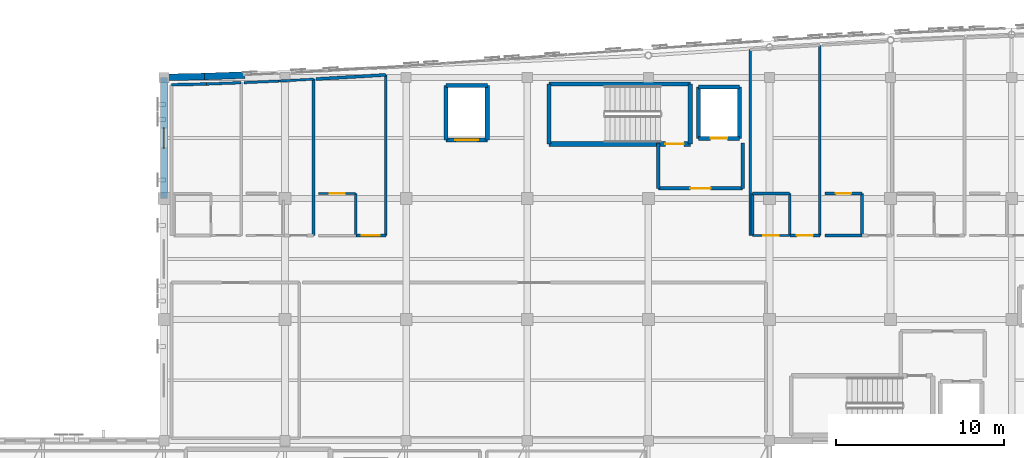
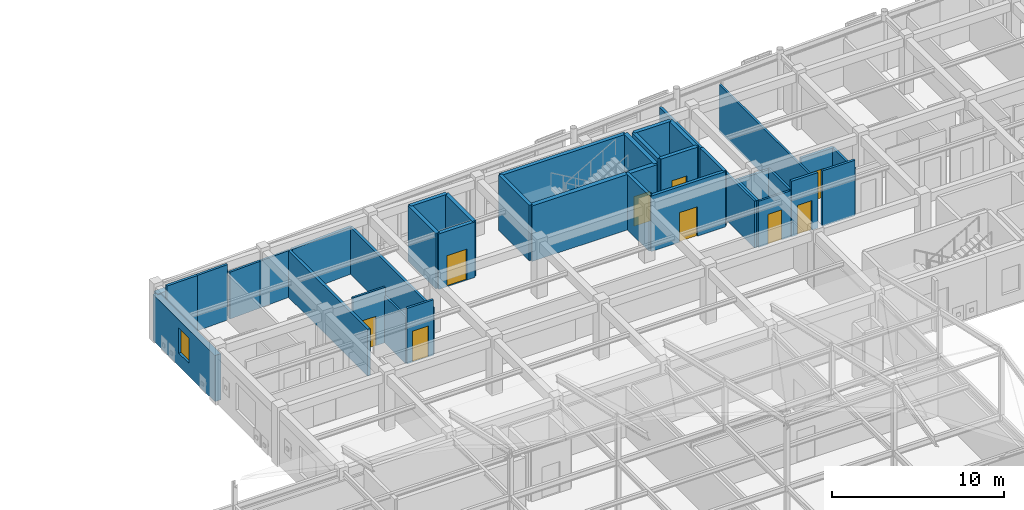
# One storey, part 91 of 113: 38 walls, 9 doors, 1 window, 10 openings.
"""IFC4 building model written with IfcOpenShell, lengths in metres."""

from ifc_helpers import new_model, si_unit, direction, frame, frame_2d, origin, place, context, subcontext, project, spatial, rectangle, extrude, material, layer, layer_set, type_object, element, fill, save


model = new_model("IFC4")

# Units and contexts
model_context = context("Model", 3, precision=1e-05, world=origin(), true_north=direction((0.0, 1.0)))
body_context = subcontext(model_context, "Body", "Model", "MODEL_VIEW")
ifc_project = project(units=[si_unit("LENGTHUNIT", "METRE"), si_unit("AREAUNIT", "SQUARE_METRE"), si_unit("VOLUMEUNIT", "CUBIC_METRE"), si_unit("PLANEANGLEUNIT", "RADIAN"), si_unit("MASSUNIT", "GRAM", prefix="KILO")], contexts=[model_context])

# Site, building, storey
site_placement = place(None, origin())
site = spatial("IfcSite", under=ifc_project, at=site_placement, CompositionType="ELEMENT")
building_placement = place(site_placement, origin())
building = spatial("IfcBuilding", under=site, at=building_placement, Name="Carrowvane Square Congress Hotel", CompositionType="ELEMENT")
storey_placement = place(building_placement, frame((0.0, 0.0, 15.0)))
storey = spatial("IfcBuildingStorey", under=building, at=storey_placement, Name="L03", CompositionType="ELEMENT", Elevation=15.0)

# Wall, opening, window
ifc_material_1 = material(Name="Glazed terracotta rainscreen", Category="masonry")
ifc_layer_1 = layer(ifc_material_1, 0.39990234375)
ifc_layer_set_1 = layer_set([ifc_layer_1], Name="Glazed terracotta rainscreen")
wall_type_1 = type_object("IfcWallType", Name="WL-EXT-TC400", PredefinedType="STANDARD", material=ifc_layer_set_1)
wall_1_placement = place(storey_placement, frame((33.199951171875, 106.199951171875, 0.0), z_axis=(0.0, 0.0, 1.0), x_axis=(0.0, 1.0, 0.0)))
wall_1 = element("IfcWall", 1, at=wall_1_placement, inside=storey, type_object=wall_type_1, Name="L03 exterior facade wall 353", PredefinedType="STANDARD", context=body_context, shape_type="SweptSolid", body=[
    extrude(rectangle(XDim=7.199951171875, YDim=0.39990234375, at=frame_2d((3.60009765625, 0.0))), origin(), (0.0, 0.0, 1.0), 3.27490234375),
])
opening_1_placement = place(wall_1_placement, frame((3.0, 0.0, 0.89990234375)))
opening_1 = element("IfcOpeningElement", 2, at=opening_1_placement, cuts=wall_1, Name="Opening W-01", PredefinedType="OPENING", context=body_context, shape_type="SweptSolid", body=[
    extrude(rectangle(XDim=1.199951171875, YDim=1.800048828125, at=frame_2d((0.60009765625, 0.89990234375))), frame((0.0, 0.2099609375, 0.0), z_axis=(0.0, -1.0, 0.0), x_axis=(1.0, 0.0, 0.0)), (0.0, 0.0, 1.0), 0.419921875),
])
ifc_material_2 = material(Name="Double-glazed low-E glass", Category="glass")
window_type = type_object("IfcWindowType", Name="WIN-01", PartitioningType="SINGLE_PANEL", PredefinedType="WINDOW", material=ifc_material_2)
window_placement = place(opening_1_placement, origin())
window = element("IfcWindow", 3, at=window_placement, inside=storey, type_object=window_type, Name="L03 facade window 176", OverallHeight=1.800048828125, OverallWidth=1.199951171875, PartitioningType="SINGLE_PANEL", PredefinedType="WINDOW", context=body_context, shape_type="SweptSolid", body=[
    extrude(rectangle(XDim=1.199951171875, YDim=1.800048828125, at=frame_2d((0.60009765625, 0.89990234375))), frame((0.0, 0.030029296875, 0.0), z_axis=(0.0, -1.0, 0.0), x_axis=(1.0, 0.0, 0.0)), (0.0, 0.0, 1.0), 0.06005859375),
])
fill(opening_1, window)

# Walls
wall_2_placement = place(storey_placement, frame((33.199951171875, 113.39990234375, 0.0), z_axis=(0.0, 0.0, 1.0), x_axis=(0.999767568547, 0.021559426766, 0.0)))
element("IfcWall", 4, at=wall_2_placement, inside=storey, type_object=wall_type_1, Name="L03 exterior facade wall 354", PredefinedType="STANDARD", context=body_context, shape_type="SweptSolid", body=[
    extrude(rectangle(XDim=2.400634765625, YDim=0.39990234375, at=frame_2d((1.2001953125, 0.0))), origin(), (0.0, 0.0, 1.0), 3.324951171875),
])
wall_3_placement = place(storey_placement, frame((35.60009765625, 113.45166015625, 0.0), z_axis=(0.0, 0.0, 1.0), x_axis=(0.99930757318, 0.037207179225, 0.0)))
element("IfcWall", 5, at=wall_3_placement, inside=storey, type_object=wall_type_1, Name="L03 exterior facade wall 355", PredefinedType="STANDARD", context=body_context, shape_type="SweptSolid", body=[
    extrude(rectangle(XDim=2.401611328125, YDim=0.39990234375, at=frame_2d((1.20068359375, 0.0))), origin(), (0.0, 0.0, 1.0), 3.324951171875),
])
ifc_material_3 = material(Name="Acoustic gypsum board", Category="gypsum")
ifc_layer_2 = layer(ifc_material_3, 0.155029296875)
ifc_layer_set_2 = layer_set([ifc_layer_2], Name="Acoustic gypsum board")
wall_type_2 = type_object("IfcWallType", Name="WL-FIR-155", PredefinedType="PARTITIONING", material=ifc_layer_set_2)
wall_4_placement = place(storey_placement, frame((35.719970703125, 113.006103515625, 0.0), z_axis=(0.0, 0.0, 1.0), x_axis=(0.999306250348, 0.037242690778, 0.0)))
element("IfcWall", 6, at=wall_4_placement, inside=storey, type_object=wall_type_2, Name="L03 Parkview Guest Bedroom 0302 partition", PredefinedType="PARTITIONING", context=body_context, shape_type="SweptSolid", body=[
    extrude(rectangle(XDim=2.071533203125, YDim=0.155029296875, at=frame_2d((1.03564453125, 0.0))), origin(), (0.0, 0.0, 1.0), 3.93994140625),
])

# Wall, opening, door
wall_5_placement = place(storey_placement, frame((46.389892578125, 104.0, 0.0), z_axis=(0.0, 0.0, 1.0), x_axis=(-1.0, 0.0, 0.0)))
wall_5 = element("IfcWall", 7, at=wall_5_placement, inside=storey, type_object=wall_type_2, Name="L03 Parkview Guest Bedroom 0304 partition", PredefinedType="PARTITIONING", context=body_context, shape_type="SweptSolid", body=[
    extrude(rectangle(XDim=1.77978515625, YDim=0.155029296875, at=frame_2d((0.889892578125, 0.0))), origin(), (0.0, 0.0, 1.0), 3.93994140625),
])
opening_2_placement = place(wall_5_placement, frame((0.360107421875, 0.0, 0.0)))
opening_2 = element("IfcOpeningElement", 8, at=opening_2_placement, cuts=wall_5, Name="Opening FD-09", PredefinedType="OPENING", context=body_context, shape_type="SweptSolid", body=[
    extrude(rectangle(XDim=1.06005859375, YDim=2.199951171875, at=frame_2d((0.530029296875, 1.10009765625))), frame((0.0, 0.08740234375, 0.0), z_axis=(0.0, -1.0, 0.0), x_axis=(1.0, 0.0, 0.0)), (0.0, 0.0, 1.0), 0.175048828125),
])
ifc_material_4 = material(Name="European oak timber", Category="wood")
door_type_1 = type_object("IfcDoorType", Name="DR-FD30-1060x2200", OperationType="NOTDEFINED", PredefinedType="DOOR", material=ifc_material_4)
door_1_placement = place(opening_2_placement, origin())
door_1 = element("IfcDoor", 9, at=door_1_placement, inside=storey, type_object=door_type_1, Name="L03 Parkview Guest Bedroom 0304 entrance door", OperationType="SINGLE_SWING_RIGHT", OverallHeight=2.199951171875, OverallWidth=1.06005859375, PredefinedType="DOOR", context=body_context, shape_type="SweptSolid", body=[
    extrude(rectangle(XDim=1.06005859375, YDim=2.199951171875, at=frame_2d((0.530029296875, 1.10009765625))), frame((0.0, 0.02490234375, 0.0), z_axis=(0.0, -1.0, 0.0), x_axis=(1.0, 0.0, 0.0)), (0.0, 0.0, 1.0), 0.050048828125),
])
fill(opening_2, door_1)

# Walls
wall_6_placement = place(storey_placement, frame((68.199951171875, 106.5, 0.0), z_axis=(0.0, 0.0, 1.0), x_axis=(1.0, 0.0, 0.0)))
element("IfcWall", 10, at=wall_6_placement, inside=storey, type_object=wall_type_2, Name="L03 En-suite Bathroom 0305 partition", PredefinedType="PARTITIONING", context=body_context, shape_type="SweptSolid", body=[
    extrude(rectangle(XDim=2.199951171875, YDim=0.155029296875, at=frame_2d((1.10009765625, 0.0))), origin(), (0.0, 0.0, 1.0), 3.27490234375),
])
wall_7_placement = place(storey_placement, frame((68.050048828125, 104.0, 0.0), z_axis=(0.0, 0.0, 1.0), x_axis=(0.0, 1.0, 0.0)))
element("IfcWall", 11, at=wall_7_placement, inside=storey, type_object=wall_type_2, Name="L03 Parkview Guest Bedroom 0305 partition", PredefinedType="PARTITIONING", context=body_context, shape_type="SweptSolid", body=[
    extrude(rectangle(XDim=11.048828125, YDim=0.155029296875, at=frame_2d((5.5244140625, 0.0))), origin(), (0.0, 0.0, 1.0), 3.324951171875),
])
wall_8_placement = place(storey_placement, frame((74.699951171875, 104.0, 0.0), z_axis=(0.0, 0.0, 1.0), x_axis=(-1.0, 0.0, 0.0)))
element("IfcWall", 12, at=wall_8_placement, inside=storey, type_object=wall_type_2, Name="L03 En-suite Bathroom 0306 partition", PredefinedType="PARTITIONING", context=body_context, shape_type="SweptSolid", body=[
    extrude(rectangle(XDim=2.199951171875, YDim=0.155029296875, at=frame_2d((1.10009765625, 0.0))), origin(), (0.0, 0.0, 1.0), 3.93994140625),
])
ifc_material_5 = material(Name="Acoustic gypsum board", Category="gypsum")
ifc_layer_3 = layer(ifc_material_5, 0.169921875)
ifc_layer_set_3 = layer_set([ifc_layer_3], Name="Acoustic gypsum board")
wall_type_3 = type_object("IfcWallType", Name="WL-FIR-170", PredefinedType="PARTITIONING", material=ifc_layer_set_3)
wall_9_placement = place(storey_placement, frame((33.64990234375, 112.959716796875, 0.0), z_axis=(0.0, 0.0, 1.0), x_axis=(0.999749028493, 0.02240267902, 0.0)))
element("IfcWall", 13, at=wall_9_placement, inside=storey, type_object=wall_type_3, Name="L03 Parkview Guest Bedroom 0302 partition", PredefinedType="PARTITIONING", context=body_context, shape_type="SweptSolid", body=[
    extrude(rectangle(XDim=2.070556640625, YDim=0.169921875, at=frame_2d((1.03515625, 0.0))), origin(), (0.0, 0.0, 1.0), 3.93994140625),
])
wall_10_placement = place(storey_placement, frame((46.389892578125, 113.548583984375, 0.0), z_axis=(0.0, 0.0, 1.0), x_axis=(0.0, -1.0, 0.0)))
element("IfcWall", 14, at=wall_10_placement, inside=storey, type_object=wall_type_3, Name="L03 Parkview Guest Bedroom 0304 partition", PredefinedType="PARTITIONING", context=body_context, shape_type="SweptSolid", body=[
    extrude(rectangle(XDim=9.548583984375, YDim=0.169921875, at=frame_2d((4.7744140625, 0.0))), origin(), (0.0, 0.0, 1.0), 3.324951171875),
])
for number, where, z_axis, x_axis, name in (
    (15, (68.199951171875, 104.0, 0.0), (0.0, 0.0, 1.0), (0.0, 1.0, 0.0), "L03 En-suite Bathroom 0305 partition"),
    (16, (74.699951171875, 106.5, 0.0), (0.0, 0.0, 1.0), (0.0, -1.0, 0.0), "L03 En-suite Bathroom 0306 partition"),
):
    element("IfcWall", number, at=place(storey_placement, frame(where, z_axis=z_axis, x_axis=x_axis)), inside=storey, type_object=wall_type_3, Name=name, PredefinedType="PARTITIONING", context=body_context, shape_type="SweptSolid", body=[
        extrude(rectangle(XDim=2.5, YDim=0.169921875, at=frame_2d((1.25, 0.0))), origin(), (0.0, 0.0, 1.0), 3.324951171875),
    ])
ifc_material_6 = material(Name="Acoustic gypsum board", Category="gypsum")
ifc_layer_4 = layer(ifc_material_6, 0.18505859375)
ifc_layer_set_4 = layer_set([ifc_layer_4], Name="Acoustic gypsum board")
wall_type_4 = type_object("IfcWallType", Name="WL-FIR-185", PredefinedType="PARTITIONING", material=ifc_layer_set_4)
wall_11_placement = place(storey_placement, frame((42.090087890625, 113.293212890625, 0.0), z_axis=(0.0, 0.0, 1.0), x_axis=(0.0, -1.0, 0.0)))
element("IfcWall", 17, at=wall_11_placement, inside=storey, type_object=wall_type_4, Name="L03 Parkview Guest Bedroom 0303 partition", PredefinedType="PARTITIONING", context=body_context, shape_type="SweptSolid", body=[
    extrude(rectangle(XDim=9.293212890625, YDim=0.18505859375, at=frame_2d((4.646484375, 0.0))), origin(), (0.0, 0.0, 1.0), 3.324951171875),
])
wall_12_placement = place(storey_placement, frame((42.25, 113.302001953125, 0.0), z_axis=(0.0, 0.0, 1.0), x_axis=(0.998230864765, 0.059457048618, 0.0)))
element("IfcWall", 18, at=wall_12_placement, inside=storey, type_object=wall_type_4, Name="L03 Parkview Guest Bedroom 0304 partition", PredefinedType="PARTITIONING", context=body_context, shape_type="SweptSolid", body=[
    extrude(rectangle(XDim=4.147216796875, YDim=0.18505859375, at=frame_2d((2.07373046875, 0.0))), origin(), (0.0, 0.0, 1.0), 3.324951171875),
])

# Wall, opening, door
wall_13_placement = place(storey_placement, frame((72.18994140625, 104.0, 0.0), z_axis=(0.0, 0.0, 1.0), x_axis=(-1.0, 0.0, 0.0)))
wall_13 = element("IfcWall", 19, at=wall_13_placement, inside=storey, type_object=wall_type_4, Name="L03 Parkview Guest Bedroom 0305 partition", PredefinedType="PARTITIONING", context=body_context, shape_type="SweptSolid", body=[
    extrude(rectangle(XDim=1.780029296875, YDim=0.18505859375, at=frame_2d((0.89013671875, 0.0))), origin(), (0.0, 0.0, 1.0), 3.93994140625),
])
opening_3_placement = place(wall_13_placement, frame((0.4150390625, 0.0, 0.0)))
opening_3 = element("IfcOpeningElement", 20, at=opening_3_placement, cuts=wall_13, Name="Opening FD-06", PredefinedType="OPENING", context=body_context, shape_type="SweptSolid", body=[
    extrude(rectangle(XDim=0.949951171875, YDim=2.10009765625, at=frame_2d((0.47509765625, 1.050048828125))), frame((0.0, 0.1025390625, 0.0), z_axis=(0.0, -1.0, 0.0), x_axis=(1.0, 0.0, 0.0)), (0.0, 0.0, 1.0), 0.205078125),
])
ifc_material_7 = material(Name="European oak timber", Category="wood")
door_type_2 = type_object("IfcDoorType", Name="DR-FD30-0950x2100", OperationType="NOTDEFINED", PredefinedType="DOOR", material=ifc_material_7)
door_2_placement = place(opening_3_placement, origin())
door_2 = element("IfcDoor", 21, at=door_2_placement, inside=storey, type_object=door_type_2, Name="L03 Parkview Guest Bedroom 0305 entrance door", OperationType="SINGLE_SWING_RIGHT", OverallHeight=2.10009765625, OverallWidth=0.949951171875, PredefinedType="DOOR", context=body_context, shape_type="SweptSolid", body=[
    extrude(rectangle(XDim=0.949951171875, YDim=2.10009765625, at=frame_2d((0.47509765625, 1.050048828125))), frame((0.0, 0.02490234375, 0.0), z_axis=(0.0, -1.0, 0.0), x_axis=(1.0, 0.0, 0.0)), (0.0, 0.0, 1.0), 0.050048828125),
])
fill(opening_3, door_2)

wall_14_placement = place(storey_placement, frame((72.5, 106.5, 0.0), z_axis=(0.0, 0.0, 1.0), x_axis=(1.0, 0.0, 0.0)))
wall_14 = element("IfcWall", 22, at=wall_14_placement, inside=storey, type_object=wall_type_4, Name="L03 En-suite Bathroom 0306 partition", PredefinedType="PARTITIONING", context=body_context, shape_type="SweptSolid", body=[
    extrude(rectangle(XDim=2.199951171875, YDim=0.18505859375, at=frame_2d((1.10009765625, 0.0))), origin(), (0.0, 0.0, 1.0), 3.324951171875),
])
opening_4_placement = place(wall_14_placement, frame((0.64990234375, 0.0, 0.0)))
opening_4 = element("IfcOpeningElement", 23, at=opening_4_placement, cuts=wall_14, Name="Opening ID-02", PredefinedType="OPENING", context=body_context, shape_type="SweptSolid", body=[
    extrude(rectangle(XDim=0.89990234375, YDim=2.080078125, at=frame_2d((0.449951171875, 1.0400390625))), frame((0.0, 0.1025390625, 0.0), z_axis=(0.0, -1.0, 0.0), x_axis=(1.0, 0.0, 0.0)), (0.0, 0.0, 1.0), 0.205078125),
])
ifc_material_8 = material(Name="European oak timber", Category="wood")
door_type_3 = type_object("IfcDoorType", Name="DR-INT-0900x2080", OperationType="NOTDEFINED", PredefinedType="DOOR", material=ifc_material_8)
door_3_placement = place(opening_4_placement, origin())
door_3 = element("IfcDoor", 24, at=door_3_placement, inside=storey, type_object=door_type_3, Name="L03 En-suite Bathroom 0306 door", OperationType="SINGLE_SWING_LEFT", OverallHeight=2.080078125, OverallWidth=0.89990234375, PredefinedType="DOOR", context=body_context, shape_type="SweptSolid", body=[
    extrude(rectangle(XDim=0.89990234375, YDim=2.080078125, at=frame_2d((0.449951171875, 1.0400390625))), frame((0.0, 0.02490234375, 0.0), z_axis=(0.0, -1.0, 0.0), x_axis=(1.0, 0.0, 0.0)), (0.0, 0.0, 1.0), 0.050048828125),
])
fill(opening_4, door_3)

ifc_material_9 = material(Name="Acoustic gypsum board", Category="gypsum")
ifc_layer_5 = layer(ifc_material_9, 0.205078125)
ifc_layer_set_5 = layer_set([ifc_layer_5], Name="Acoustic gypsum board")
wall_type_5 = type_object("IfcWallType", Name="WL-FIR-205", PredefinedType="PARTITIONING", material=ifc_layer_set_5)
wall_15_placement = place(storey_placement, frame((62.60009765625, 106.800048828125, 0.0), z_axis=(0.0, 0.0, 1.0), x_axis=(1.0, 0.0, 0.0)))
wall_15 = element("IfcWall", 25, at=wall_15_placement, inside=storey, type_object=wall_type_5, Name="L03 Firefighting Lobby C1 wall south", PredefinedType="PARTITIONING", context=body_context, shape_type="SweptSolid", body=[
    extrude(rectangle(XDim=5.0, YDim=0.205078125, at=frame_2d((2.5, 0.0))), origin(), (0.0, 0.0, 1.0), 3.93994140625),
])
opening_5_placement = place(wall_15_placement, frame((1.89990234375, 0.0, 0.0)))
opening_5 = element("IfcOpeningElement", 26, at=opening_5_placement, cuts=wall_15, Name="Opening FD-02", PredefinedType="OPENING", context=body_context, shape_type="SweptSolid", body=[
    extrude(rectangle(XDim=1.199951171875, YDim=2.10009765625, at=frame_2d((0.60009765625, 1.050048828125))), frame((0.0, 0.112548828125, 0.0), z_axis=(0.0, -1.0, 0.0), x_axis=(1.0, 0.0, 0.0)), (0.0, 0.0, 1.0), 0.22509765625),
])
ifc_material_10 = material(Name="European oak timber", Category="wood")
door_type_4 = type_object("IfcDoorType", Name="DR-FD60-1200x2100", OperationType="NOTDEFINED", PredefinedType="DOOR", material=ifc_material_10)
door_4_placement = place(opening_5_placement, origin())
door_4 = element("IfcDoor", 27, at=door_4_placement, inside=storey, type_object=door_type_4, Name="L03 Firefighting Lobby C1 entrance door", OperationType="SINGLE_SWING_RIGHT", OverallHeight=2.10009765625, OverallWidth=1.199951171875, PredefinedType="DOOR", context=body_context, shape_type="SweptSolid", body=[
    extrude(rectangle(XDim=1.199951171875, YDim=2.10009765625, at=frame_2d((0.60009765625, 1.050048828125))), frame((0.0, 0.02490234375, 0.0), z_axis=(0.0, -1.0, 0.0), x_axis=(1.0, 0.0, 0.0)), (0.0, 0.0, 1.0), 0.050048828125),
])
fill(opening_5, door_4)

# Walls
for number, where, z_axis, x_axis, name in (
    (28, (67.60009765625, 106.800048828125, 0.0), (0.0, 0.0, 1.0), (0.0, 1.0, 0.0), "L03 Firefighting Lobby C1 wall east"),
    (29, (62.60009765625, 109.5, 0.0), (0.0, 0.0, 1.0), (0.0, -1.0, 0.0), "L03 Firefighting Lobby C1 wall west"),
):
    element("IfcWall", number, at=place(storey_placement, frame(where, z_axis=z_axis, x_axis=x_axis)), inside=storey, type_object=wall_type_5, Name=name, PredefinedType="PARTITIONING", context=body_context, shape_type="SweptSolid", body=[
        extrude(rectangle(XDim=2.699951171875, YDim=0.205078125, at=frame_2d((1.35009765625, 0.0))), origin(), (0.0, 0.0, 1.0), 3.93994140625),
    ])
ifc_material_11 = material(Name="Acoustic gypsum board", Category="gypsum")
ifc_layer_6 = layer(ifc_material_11, 0.1279296875)
ifc_layer_set_6 = layer_set([ifc_layer_6], Name="Acoustic gypsum board")
wall_type_6 = type_object("IfcWallType", Name="WL-PRT-128", PredefinedType="PARTITIONING", material=ifc_layer_set_6)
wall_16_placement = place(storey_placement, frame((44.60009765625, 106.5, 0.0), z_axis=(0.0, 0.0, 1.0), x_axis=(0.0, -1.0, 0.0)))
element("IfcWall", 30, at=wall_16_placement, inside=storey, type_object=wall_type_6, Name="L03 En-suite Bathroom 0304 partition", PredefinedType="PARTITIONING", context=body_context, shape_type="SweptSolid", body=[
    extrude(rectangle(XDim=2.5, YDim=0.1279296875, at=frame_2d((1.25, 0.0))), origin(), (0.0, 0.0, 1.0), 3.324951171875),
])
ifc_material_12 = material(Name="Acoustic gypsum board", Category="gypsum")
ifc_layer_7 = layer(ifc_material_12, 0.137939453125)
ifc_layer_set_7 = layer_set([ifc_layer_7], Name="Acoustic gypsum board")
wall_type_7 = type_object("IfcWallType", Name="WL-PRT-138", PredefinedType="PARTITIONING", material=ifc_layer_set_7)
wall_17_placement = place(storey_placement, frame((40.02001953125, 113.18505859375, 0.0), z_axis=(0.0, 0.0, 1.0), x_axis=(0.998637927672, 0.052175563387, 0.0)))
element("IfcWall", 31, at=wall_17_placement, inside=storey, type_object=wall_type_7, Name="L03 Parkview Guest Bedroom 0303 partition", PredefinedType="PARTITIONING", context=body_context, shape_type="SweptSolid", body=[
    extrude(rectangle(XDim=2.072998046875, YDim=0.137939453125, at=frame_2d((1.03662109375, 0.0))), origin(), (0.0, 0.0, 1.0), 3.324951171875),
])

# Wall, opening, door
wall_18_placement = place(storey_placement, frame((42.39990234375, 106.5, 0.0), z_axis=(0.0, 0.0, 1.0), x_axis=(1.0, 0.0, 0.0)))
wall_18 = element("IfcWall", 32, at=wall_18_placement, inside=storey, type_object=wall_type_7, Name="L03 En-suite Bathroom 0304 partition", PredefinedType="PARTITIONING", context=body_context, shape_type="SweptSolid", body=[
    extrude(rectangle(XDim=2.2001953125, YDim=0.137939453125, at=frame_2d((1.10009765625, 0.0))), origin(), (0.0, 0.0, 1.0), 3.93994140625),
])
opening_6_placement = place(wall_18_placement, frame((0.655029296875, 0.0, 0.0)))
opening_6 = element("IfcOpeningElement", 33, at=opening_6_placement, cuts=wall_18, Name="Opening ID-16", PredefinedType="OPENING", context=body_context, shape_type="SweptSolid", body=[
    extrude(rectangle(XDim=0.889892578125, YDim=2.090087890625, at=frame_2d((0.44482421875, 1.044921875))), frame((0.0, 0.078857421875, 0.0), z_axis=(0.0, -1.0, 0.0), x_axis=(1.0, 0.0, 0.0)), (0.0, 0.0, 1.0), 0.157958984375),
])
ifc_material_13 = material(Name="European oak timber", Category="wood")
door_type_5 = type_object("IfcDoorType", Name="DR-INT-0890x2090", OperationType="NOTDEFINED", PredefinedType="DOOR", material=ifc_material_13)
door_5_placement = place(opening_6_placement, origin())
door_5 = element("IfcDoor", 34, at=door_5_placement, inside=storey, type_object=door_type_5, Name="L03 En-suite Bathroom 0304 door", OperationType="SINGLE_SWING_LEFT", OverallHeight=2.090087890625, OverallWidth=0.889892578125, PredefinedType="DOOR", context=body_context, shape_type="SweptSolid", body=[
    extrude(rectangle(XDim=0.889892578125, YDim=2.090087890625, at=frame_2d((0.44482421875, 1.044921875))), frame((0.0, 0.02490234375, 0.0), z_axis=(0.0, -1.0, 0.0), x_axis=(1.0, 0.0, 0.0)), (0.0, 0.0, 1.0), 0.050048828125),
])
fill(opening_6, door_5)

wall_19_placement = place(storey_placement, frame((70.39990234375, 104.0, 0.0), z_axis=(0.0, 0.0, 1.0), x_axis=(-1.0, 0.0, 0.0)))
wall_19 = element("IfcWall", 35, at=wall_19_placement, inside=storey, type_object=wall_type_7, Name="L03 En-suite Bathroom 0305 partition", PredefinedType="PARTITIONING", context=body_context, shape_type="SweptSolid", body=[
    extrude(rectangle(XDim=2.199951171875, YDim=0.137939453125, at=frame_2d((1.10009765625, 0.0))), origin(), (0.0, 0.0, 1.0), 3.27490234375),
])
opening_7_placement = place(wall_19_placement, frame((0.635009765625, 0.0, 0.0)))
opening_7 = element("IfcOpeningElement", 36, at=opening_7_placement, cuts=wall_19, Name="Opening ID-18", PredefinedType="OPENING", context=body_context, shape_type="SweptSolid", body=[
    extrude(rectangle(XDim=0.929931640625, YDim=2.1298828125, at=frame_2d((0.46484375, 1.06494140625))), frame((0.0, 0.078857421875, 0.0), z_axis=(0.0, -1.0, 0.0), x_axis=(1.0, 0.0, 0.0)), (0.0, 0.0, 1.0), 0.157958984375),
])
ifc_material_14 = material(Name="European oak timber", Category="wood")
door_type_6 = type_object("IfcDoorType", Name="DR-INT-0930x2130", OperationType="NOTDEFINED", PredefinedType="DOOR", material=ifc_material_14)
door_6_placement = place(opening_7_placement, origin())
door_6 = element("IfcDoor", 37, at=door_6_placement, inside=storey, type_object=door_type_6, Name="L03 En-suite Bathroom 0305 door", OperationType="SINGLE_SWING_LEFT", OverallHeight=2.1298828125, OverallWidth=0.929931640625, PredefinedType="DOOR", context=body_context, shape_type="SweptSolid", body=[
    extrude(rectangle(XDim=0.929931640625, YDim=2.1298828125, at=frame_2d((0.46484375, 1.06494140625))), frame((0.0, 0.02490234375, 0.0), z_axis=(0.0, -1.0, 0.0), x_axis=(1.0, 0.0, 0.0)), (0.0, 0.0, 1.0), 0.050048828125),
])
fill(opening_7, door_6)

# Walls
wall_20_placement = place(storey_placement, frame((72.18994140625, 115.30908203125, 0.0), z_axis=(0.0, 0.0, 1.0), x_axis=(0.0, -1.0, 0.0)))
element("IfcWall", 38, at=wall_20_placement, inside=storey, type_object=wall_type_7, Name="L03 Parkview Guest Bedroom 0305 partition", PredefinedType="PARTITIONING", context=body_context, shape_type="SweptSolid", body=[
    extrude(rectangle(XDim=11.30908203125, YDim=0.137939453125, at=frame_2d((5.654541015625, 0.0))), origin(), (0.0, 0.0, 1.0), 3.324951171875),
])
ifc_material_15 = material(Name="Acoustic gypsum board", Category="gypsum")
ifc_layer_8 = layer(ifc_material_15, 0.14794921875)
ifc_layer_set_8 = layer_set([ifc_layer_8], Name="Acoustic gypsum board")
wall_type_8 = type_object("IfcWallType", Name="WL-PRT-148", PredefinedType="PARTITIONING", material=ifc_layer_set_8)
wall_21_placement = place(storey_placement, frame((37.949951171875, 113.089111328125, 0.0), z_axis=(0.0, 0.0, 1.0), x_axis=(0.998927575382, 0.046300098729, 0.0)))
element("IfcWall", 39, at=wall_21_placement, inside=storey, type_object=wall_type_8, Name="L03 Parkview Guest Bedroom 0303 partition", PredefinedType="PARTITIONING", context=body_context, shape_type="SweptSolid", body=[
    extrude(rectangle(XDim=2.072265625, YDim=0.14794921875, at=frame_2d((1.0361328125, 0.0))), origin(), (0.0, 0.0, 1.0), 3.324951171875),
])
wall_22_placement = place(storey_placement, frame((70.39990234375, 106.5, 0.0), z_axis=(0.0, 0.0, 1.0), x_axis=(0.0, -1.0, 0.0)))
element("IfcWall", 40, at=wall_22_placement, inside=storey, type_object=wall_type_8, Name="L03 En-suite Bathroom 0305 partition", PredefinedType="PARTITIONING", context=body_context, shape_type="SweptSolid", body=[
    extrude(rectangle(XDim=2.5, YDim=0.14794921875, at=frame_2d((1.25, 0.0))), origin(), (0.0, 0.0, 1.0), 3.324951171875),
])
ifc_material_16 = material(Name="Concrete C40/50", Category="concrete")
ifc_layer_9 = layer(ifc_material_16, 0.22509765625)
ifc_layer_set_9 = layer_set([ifc_layer_9], Name="Concrete C40/50")
wall_type_9 = type_object("IfcWallType", Name="WL-SHR-225", PredefinedType="SHEAR", material=ifc_layer_set_9)
wall_23_placement = place(storey_placement, frame((56.10009765625, 113.0, 0.0), z_axis=(0.0, 0.0, 1.0), x_axis=(0.0, -1.0, 0.0)))
element("IfcWall", 41, at=wall_23_placement, inside=storey, type_object=wall_type_9, Name="L03 ST1 core wall west", PredefinedType="SHEAR", context=body_context, shape_type="SweptSolid", body=[
    extrude(rectangle(XDim=3.56005859375, YDim=0.22509765625, at=frame_2d((1.780029296875, 0.0))), origin(), (0.0, 0.0, 1.0), 3.93994140625),
])
ifc_material_17 = material(Name="Concrete C40/50", Category="concrete")
ifc_layer_10 = layer(ifc_material_17, 0.25)
ifc_layer_set_10 = layer_set([ifc_layer_10], Name="Concrete C40/50")
wall_type_10 = type_object("IfcWallType", Name="WL-SHR-250", PredefinedType="SHEAR", material=ifc_layer_set_10)
wall_24_placement = place(storey_placement, frame((64.5, 113.0, 0.0), z_axis=(0.0, 0.0, 1.0), x_axis=(-1.0, 0.0, 0.0)))
element("IfcWall", 42, at=wall_24_placement, inside=storey, type_object=wall_type_10, Name="L03 ST1 core wall north", PredefinedType="SHEAR", context=body_context, shape_type="SweptSolid", body=[
    extrude(rectangle(XDim=8.39990234375, YDim=0.25, at=frame_2d((4.199951171875, 0.0))), origin(), (0.0, 0.0, 1.0), 3.93994140625),
])

# Wall, opening, door
wall_25_placement = place(storey_placement, frame((64.97509765625, 109.77490234375, 0.0), z_axis=(0.0, 0.0, 1.0), x_axis=(1.0, 0.0, 0.0)))
wall_25 = element("IfcWall", 43, at=wall_25_placement, inside=storey, type_object=wall_type_10, Name="L03 FFL-1 shaft wall south", PredefinedType="SHEAR", context=body_context, shape_type="SweptSolid", body=[
    extrude(rectangle(XDim=2.449951171875, YDim=0.25, at=frame_2d((1.22509765625, 0.0))), origin(), (0.0, 0.0, 1.0), 3.93994140625),
])
opening_8_placement = place(wall_25_placement, frame((0.72509765625, 0.0, 0.0)))
opening_8 = element("IfcOpeningElement", 44, at=opening_8_placement, cuts=wall_25, Name="Opening LD-FFL-1", PredefinedType="OPENING", context=body_context, shape_type="SweptSolid", body=[
    extrude(rectangle(XDim=1.0, YDim=2.14990234375, at=frame_2d((0.5, 1.074951171875))), frame((0.0, 0.135009765625, 0.0), z_axis=(0.0, -1.0, 0.0), x_axis=(1.0, 0.0, 0.0)), (0.0, 0.0, 1.0), 0.27001953125),
])
ifc_material_18 = material(Name="Stainless steel 316", Category="steel")
door_type_7 = type_object("IfcDoorType", Name="DR-LD-1000x2150", OperationType="DOUBLE_DOOR_SLIDING", PredefinedType="DOOR", material=ifc_material_18)
door_7_placement = place(opening_8_placement, origin())
door_7 = element("IfcDoor", 45, at=door_7_placement, inside=storey, type_object=door_type_7, Name="L03 FFL-1 sliding lift landing door", OperationType="DOUBLE_DOOR_SLIDING", OverallHeight=2.14990234375, OverallWidth=1.0, PredefinedType="DOOR", context=body_context, shape_type="SweptSolid", body=[
    extrude(rectangle(XDim=1.0, YDim=2.14990234375, at=frame_2d((0.5, 1.074951171875))), frame((0.0, 0.02490234375, 0.0), z_axis=(0.0, -1.0, 0.0), x_axis=(1.0, 0.0, 0.0)), (0.0, 0.0, 1.0), 0.050048828125),
])
fill(opening_8, door_7)

# Walls
wall_26_placement = place(storey_placement, frame((67.425048828125, 109.77490234375, 0.0), z_axis=(0.0, 0.0, 1.0), x_axis=(0.0, 1.0, 0.0)))
element("IfcWall", 46, at=wall_26_placement, inside=storey, type_object=wall_type_10, Name="L03 FFL-1 shaft wall east", PredefinedType="SHEAR", context=body_context, shape_type="SweptSolid", body=[
    extrude(rectangle(XDim=3.050048828125, YDim=0.25, at=frame_2d((1.52490234375, 0.0))), origin(), (0.0, 0.0, 1.0), 3.93994140625),
])
wall_27_placement = place(storey_placement, frame((67.425048828125, 112.824951171875, 0.0), z_axis=(0.0, 0.0, 1.0), x_axis=(-1.0, 0.0, 0.0)))
element("IfcWall", 47, at=wall_27_placement, inside=storey, type_object=wall_type_10, Name="L03 FFL-1 shaft wall north", PredefinedType="SHEAR", context=body_context, shape_type="SweptSolid", body=[
    extrude(rectangle(XDim=2.449951171875, YDim=0.25, at=frame_2d((1.22509765625, 0.0))), origin(), (0.0, 0.0, 1.0), 3.93994140625),
])
wall_28_placement = place(storey_placement, frame((64.97509765625, 112.824951171875, 0.0), z_axis=(0.0, 0.0, 1.0), x_axis=(0.0, -1.0, 0.0)))
element("IfcWall", 48, at=wall_28_placement, inside=storey, type_object=wall_type_10, Name="L03 FFL-1 shaft wall west", PredefinedType="SHEAR", context=body_context, shape_type="SweptSolid", body=[
    extrude(rectangle(XDim=3.050048828125, YDim=0.25, at=frame_2d((1.52490234375, 0.0))), origin(), (0.0, 0.0, 1.0), 3.93994140625),
])

# Wall, opening, door
wall_29_placement = place(storey_placement, frame((49.97509765625, 109.675048828125, 0.0), z_axis=(0.0, 0.0, 1.0), x_axis=(1.0, 0.0, 0.0)))
wall_29 = element("IfcWall", 49, at=wall_29_placement, inside=storey, type_object=wall_type_10, Name="L03 SL-1 shaft wall south", PredefinedType="SHEAR", context=body_context, shape_type="SweptSolid", body=[
    extrude(rectangle(XDim=2.449951171875, YDim=0.25, at=frame_2d((1.22509765625, 0.0))), origin(), (0.0, 0.0, 1.0), 3.93994140625),
])
opening_9_placement = place(wall_29_placement, frame((0.550048828125, 0.0, 0.0)))
opening_9 = element("IfcOpeningElement", 50, at=opening_9_placement, cuts=wall_29, Name="Opening LD-SL-1", PredefinedType="OPENING", context=body_context, shape_type="SweptSolid", body=[
    extrude(rectangle(XDim=1.35009765625, YDim=2.199951171875, at=frame_2d((0.675048828125, 1.10009765625))), frame((0.0, 0.135009765625, 0.0), z_axis=(0.0, -1.0, 0.0), x_axis=(1.0, 0.0, 0.0)), (0.0, 0.0, 1.0), 0.27001953125),
])
ifc_material_19 = material(Name="Stainless steel 316", Category="steel")
door_type_8 = type_object("IfcDoorType", Name="DR-LD-1350x2200", OperationType="DOUBLE_DOOR_SLIDING", PredefinedType="DOOR", material=ifc_material_19)
door_8_placement = place(opening_9_placement, origin())
door_8 = element("IfcDoor", 51, at=door_8_placement, inside=storey, type_object=door_type_8, Name="L03 SL-1 sliding lift landing door", OperationType="DOUBLE_DOOR_SLIDING", OverallHeight=2.199951171875, OverallWidth=1.35009765625, PredefinedType="DOOR", context=body_context, shape_type="SweptSolid", body=[
    extrude(rectangle(XDim=1.35009765625, YDim=2.199951171875, at=frame_2d((0.675048828125, 1.10009765625))), frame((0.0, 0.02490234375, 0.0), z_axis=(0.0, -1.0, 0.0), x_axis=(1.0, 0.0, 0.0)), (0.0, 0.0, 1.0), 0.050048828125),
])
fill(opening_9, door_8)

# Walls
wall_30_placement = place(storey_placement, frame((52.425048828125, 109.675048828125, 0.0), z_axis=(0.0, 0.0, 1.0), x_axis=(0.0, 1.0, 0.0)))
element("IfcWall", 52, at=wall_30_placement, inside=storey, type_object=wall_type_10, Name="L03 SL-1 shaft wall east", PredefinedType="SHEAR", context=body_context, shape_type="SweptSolid", body=[
    extrude(rectangle(XDim=3.25, YDim=0.25, at=frame_2d((1.625, 0.0))), origin(), (0.0, 0.0, 1.0), 3.93994140625),
])
wall_31_placement = place(storey_placement, frame((52.425048828125, 112.925048828125, 0.0), z_axis=(0.0, 0.0, 1.0), x_axis=(-1.0, 0.0, 0.0)))
element("IfcWall", 53, at=wall_31_placement, inside=storey, type_object=wall_type_10, Name="L03 SL-1 shaft wall north", PredefinedType="SHEAR", context=body_context, shape_type="SweptSolid", body=[
    extrude(rectangle(XDim=2.449951171875, YDim=0.25, at=frame_2d((1.22509765625, 0.0))), origin(), (0.0, 0.0, 1.0), 3.93994140625),
])
wall_32_placement = place(storey_placement, frame((49.97509765625, 112.925048828125, 0.0), z_axis=(0.0, 0.0, 1.0), x_axis=(0.0, -1.0, 0.0)))
element("IfcWall", 54, at=wall_32_placement, inside=storey, type_object=wall_type_10, Name="L03 SL-1 shaft wall west", PredefinedType="SHEAR", context=body_context, shape_type="SweptSolid", body=[
    extrude(rectangle(XDim=3.25, YDim=0.25, at=frame_2d((1.625, 0.0))), origin(), (0.0, 0.0, 1.0), 3.93994140625),
])
ifc_material_20 = material(Name="Concrete C40/50", Category="concrete")
ifc_layer_11 = layer(ifc_material_20, 0.27490234375)
ifc_layer_set_11 = layer_set([ifc_layer_11], Name="Concrete C40/50")
wall_type_11 = type_object("IfcWallType", Name="WL-SHR-275", PredefinedType="SHEAR", material=ifc_layer_set_11)
wall_33_placement = place(storey_placement, frame((64.5, 109.43994140625, 0.0), z_axis=(0.0, 0.0, 1.0), x_axis=(0.0, 1.0, 0.0)))
element("IfcWall", 55, at=wall_33_placement, inside=storey, type_object=wall_type_11, Name="L03 ST1 core wall east", PredefinedType="SHEAR", context=body_context, shape_type="SweptSolid", body=[
    extrude(rectangle(XDim=3.56005859375, YDim=0.27490234375, at=frame_2d((1.780029296875, 0.0))), origin(), (0.0, 0.0, 1.0), 3.93994140625),
])

# Wall, opening, door
ifc_material_21 = material(Name="Concrete C40/50", Category="concrete")
ifc_layer_12 = layer(ifc_material_21, 0.300048828125)
ifc_layer_set_12 = layer_set([ifc_layer_12], Name="Concrete C40/50")
wall_type_12 = type_object("IfcWallType", Name="WL-SHR-300", PredefinedType="SHEAR", material=ifc_layer_set_12)
wall_34_placement = place(storey_placement, frame((56.10009765625, 109.43994140625, 0.0), z_axis=(0.0, 0.0, 1.0), x_axis=(1.0, 0.0, 0.0)))
wall_34 = element("IfcWall", 56, at=wall_34_placement, inside=storey, type_object=wall_type_12, Name="L03 ST1 core wall south", PredefinedType="SHEAR", context=body_context, shape_type="SweptSolid", body=[
    extrude(rectangle(XDim=8.39990234375, YDim=0.300048828125, at=frame_2d((4.199951171875, 0.0))), origin(), (0.0, 0.0, 1.0), 3.93994140625),
])
opening_10_placement = place(wall_34_placement, frame((6.909912109375, 0.0, 0.0)))
opening_10 = element("IfcOpeningElement", 57, at=opening_10_placement, cuts=wall_34, Name="Opening FD-01", PredefinedType="OPENING", context=body_context, shape_type="SweptSolid", body=[
    extrude(rectangle(XDim=1.10009765625, YDim=2.10009765625, at=frame_2d((0.550048828125, 1.050048828125))), frame((0.0, 0.159912109375, 0.0), z_axis=(0.0, -1.0, 0.0), x_axis=(1.0, 0.0, 0.0)), (0.0, 0.0, 1.0), 0.320068359375),
])
ifc_material_22 = material(Name="European oak timber", Category="wood")
door_type_9 = type_object("IfcDoorType", Name="DR-FD60-1100x2100", OperationType="NOTDEFINED", PredefinedType="DOOR", material=ifc_material_22)
door_9_placement = place(opening_10_placement, origin())
door_9 = element("IfcDoor", 58, at=door_9_placement, inside=storey, type_object=door_type_9, Name="L03 ST1 fire door", OperationType="SINGLE_SWING_LEFT", OverallHeight=2.10009765625, OverallWidth=1.10009765625, PredefinedType="DOOR", context=body_context, shape_type="SweptSolid", body=[
    extrude(rectangle(XDim=1.10009765625, YDim=2.10009765625, at=frame_2d((0.550048828125, 1.050048828125))), frame((0.0, 0.02490234375, 0.0), z_axis=(0.0, -1.0, 0.0), x_axis=(1.0, 0.0, 0.0)), (0.0, 0.0, 1.0), 0.050048828125),
])
fill(opening_10, door_9)

save(model, "model.ifc")
